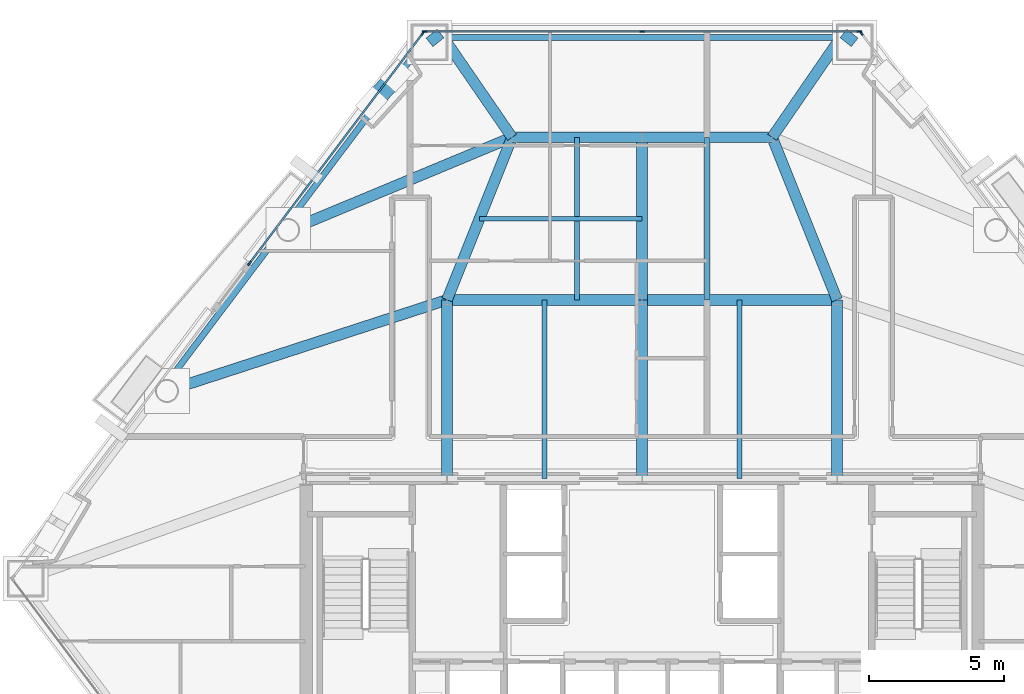
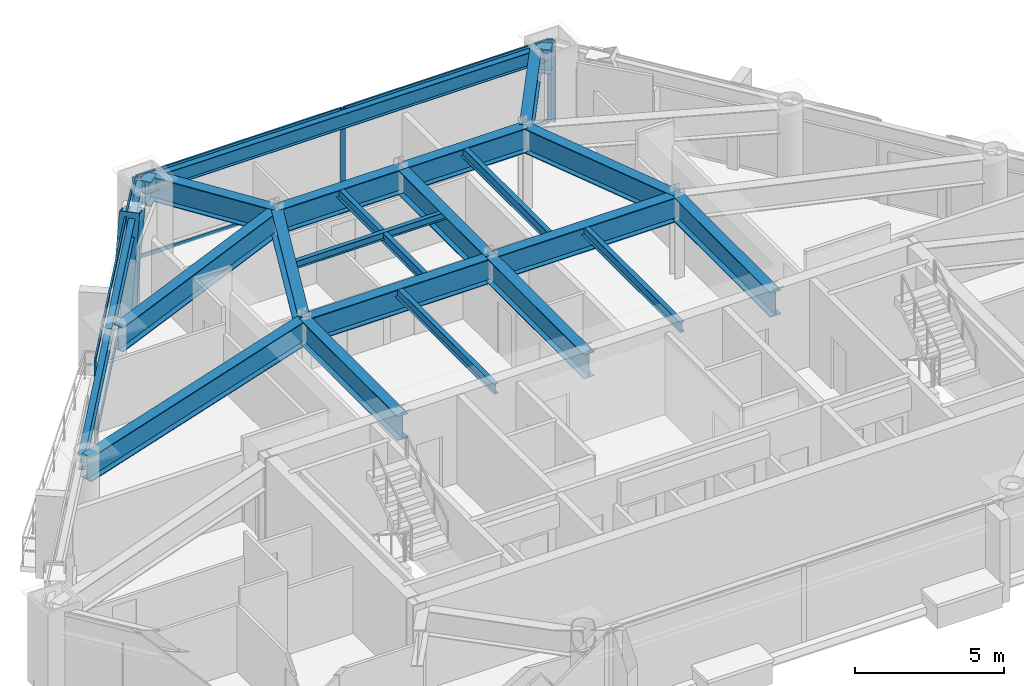
# One storey, part 3 of 10: 24 beams, 13 members, 3 elements without a shape of their own.
"""IFC4 building model written with IfcOpenShell, lengths in metres."""

import ifcopenshell
import ifcopenshell.guid

model = None  # the IFC model being written
_history = None  # IfcOwnerHistory: only IFC2X3 demands one
_inside = {}  # id of a spatial element -> (the spatial element, [elements in it])
_under = {}  # id of a project, library or spatial element -> (it, [spatial elements below it])
_declared = {}  # id of a project -> (the project, [libraries it declares])
_typed = {}  # id of a type object -> (the type object, [elements of that type])
_made_of = {}  # id of a material, layer set ... -> (it, [elements and type objects made of it])


def new_model(schema):
    """Start an empty IFC model of exactly this schema.

    Asked for "IFC4X3", IfcOpenShell would pick the latest addendum, in which some entities
    have other attributes; the version numbers below select the first issue.
    IFC2X3 requires an IfcOwnerHistory on every rooted entity: one is made here for all.
    """
    global model, _history
    if schema == "IFC4X3":
        model = ifcopenshell.file(schema_version=(4, 3, 0, 0))
    else:
        model = ifcopenshell.file(schema=schema)
    _inside.clear()
    _under.clear()
    _declared.clear()
    _typed.clear()
    _made_of.clear()
    _history = None
    if model.schema == "IFC2X3":
        org = make("IfcOrganization", Name="unknown")
        user = make(
            "IfcPersonAndOrganization",
            ThePerson=make("IfcPerson", FamilyName="unknown"),
            TheOrganization=org,
        )
        app = make(
            "IfcApplication",
            ApplicationDeveloper=org,
            Version="unknown",
            ApplicationFullName="unknown",
            ApplicationIdentifier="unknown",
        )
        _history = make(
            "IfcOwnerHistory",
            OwningUser=user,
            OwningApplication=app,
            ChangeAction="ADDED",
            CreationDate=0,
        )
    return model


def make(cls, **values):
    """One entity of the class cls with the attributes given. An attribute that is None is left unset."""
    return model.create_entity(
        cls, **{name: value for name, value in values.items() if value is not None}
    )


def rooted(cls, **values):
    """An entity with a GlobalId (a new one), such as an element, a storey or a relation."""
    return make(cls, GlobalId=ifcopenshell.guid.new(), OwnerHistory=_history, **values)


def si_unit(unit_type, name, prefix=None):
    """IfcSIUnit, for example si_unit("LENGTHUNIT", "METRE", prefix="MILLI")."""
    return make("IfcSIUnit", UnitType=unit_type, Prefix=prefix, Name=name)


def assignment(units):
    """IfcUnitAssignment: the units of a project."""
    return None if units is None else make("IfcUnitAssignment", Units=units)


def point(xyz):
    """IfcCartesianPoint."""
    return None if xyz is None else make("IfcCartesianPoint", Coordinates=xyz)


def direction(xyz):
    """IfcDirection."""
    return None if xyz is None else make("IfcDirection", DirectionRatios=xyz)


def frame(location, z_axis=None, x_axis=None):
    """IfcAxis2Placement3D, a coordinate frame: its origin and axes. An axis left out is left unset."""
    return make(
        "IfcAxis2Placement3D",
        Location=point(location),
        Axis=direction(z_axis),
        RefDirection=direction(x_axis),
    )


def frame_2d(location, x_axis=None):
    """IfcAxis2Placement2D, a coordinate frame in the plane: its origin and x axis."""
    return make(
        "IfcAxis2Placement2D", Location=point(location), RefDirection=direction(x_axis)
    )


def origin():
    """The frame at (0, 0, 0) with its axes left unset."""
    return frame((0.0, 0.0, 0.0))


def origin_2d():
    """The frame at (0, 0) in the plane with its x axis left unset."""
    return frame_2d((0.0, 0.0))


def place(relative_to, where):
    """IfcLocalPlacement: puts the frame where relative to a parent placement (None: the world)."""
    return make(
        "IfcLocalPlacement", PlacementRelTo=relative_to, RelativePlacement=where
    )


def context(
    kind, dimensions, precision=None, world=None, true_north=None, identifier=None
):
    """IfcGeometricRepresentationContext, for example the 3D "Model" context."""
    return make(
        "IfcGeometricRepresentationContext",
        ContextIdentifier=identifier,
        ContextType=kind,
        CoordinateSpaceDimension=dimensions,
        Precision=precision,
        WorldCoordinateSystem=world,
        TrueNorth=true_north,
    )


def subcontext(parent, identifier, kind, view, scale=None):
    """IfcGeometricRepresentationSubContext, for example "Body" below "Model"."""
    return make(
        "IfcGeometricRepresentationSubContext",
        ContextIdentifier=identifier,
        ContextType=kind,
        ParentContext=parent,
        TargetScale=scale,
        TargetView=view,
    )


def project(units=None, contexts=None):
    """IfcProject with its units and contexts."""
    return rooted(
        "IfcProject",
        Name="project",
        RepresentationContexts=contexts,
        UnitsInContext=assignment(units),
    )


def spatial(cls, under=None, at=None, **own):
    """A site, building, storey or space (cls), placed at a placement, below another one or the project."""
    s = rooted(cls, ObjectPlacement=at, **own)
    if under is not None:
        _under.setdefault(under.id(), (under, []))[1].append(s)
    return s


def profile(cls, at=None, kind="AREA", **sizes):
    """A parametric profile (cls). Its sizes go by their IFC names, for example OverallWidth=200.0."""
    return make(cls, ProfileType=kind, Position=at, **sizes)


def rectangle(**sizes):
    """IfcRectangleProfileDef."""
    return profile("IfcRectangleProfileDef", **sizes)


def hollow_rectangle(**sizes):
    """IfcRectangleHollowProfileDef."""
    return profile("IfcRectangleHollowProfileDef", **sizes)


def i_section(**sizes):
    """IfcIShapeProfileDef."""
    return profile("IfcIShapeProfileDef", **sizes)


def extrude(swept, where, along, depth):
    """IfcExtrudedAreaSolid: the profile swept, set in the frame where, extruded along a direction by depth."""
    return make(
        "IfcExtrudedAreaSolid",
        SweptArea=swept,
        Position=where,
        ExtrudedDirection=direction(along),
        Depth=depth,
    )


def shape(context_of_items, identifier, shape_type, items):
    """IfcShapeRepresentation: the items that make up one representation, for example the "Body"."""
    return make(
        "IfcShapeRepresentation",
        ContextOfItems=context_of_items,
        RepresentationIdentifier=identifier,
        RepresentationType=shape_type,
        Items=items,
    )


def material(Name=None, Category=None):
    """IfcMaterial."""
    return make("IfcMaterial", Name=Name, Category=Category)


def layer(
    of_material, thickness, ventilated=None, Name=None, Category=None, Priority=None
):
    """IfcMaterialLayer: one layer of a wall or slab, of a material (None: an air gap)."""
    return make(
        "IfcMaterialLayer",
        Material=of_material,
        LayerThickness=thickness,
        IsVentilated=ventilated,
        Name=Name,
        Category=Category,
        Priority=Priority,
    )


def layer_set(layers, Name=None):
    """IfcMaterialLayerSet."""
    return make("IfcMaterialLayerSet", MaterialLayers=layers, LayerSetName=Name)


def material_profile(
    of_material, cross_section, Name=None, Category=None, Priority=None
):
    """IfcMaterialProfile: a cross section and its material."""
    return make(
        "IfcMaterialProfile",
        Name=Name,
        Material=of_material,
        Profile=cross_section,
        Priority=Priority,
        Category=Category,
    )


def profile_set(profiles, Name=None, composite=None):
    """IfcMaterialProfileSet."""
    return make(
        "IfcMaterialProfileSet",
        Name=Name,
        MaterialProfiles=profiles,
        CompositeProfile=composite,
    )


def made_of(thing, what):
    """Note that an element or type object is made of a material, layer set ...; save() writes the relation."""
    if what is not None:
        _made_of.setdefault(what.id(), (what, []))[1].append(thing)
    return thing


def type_object(cls, material=None, **own):
    """A type object (cls), such as IfcWallType, which elements share."""
    return made_of(rooted(cls, **own), material)


def element(
    cls,
    number,
    at=None,
    inside=None,
    cuts=None,
    type_object=None,
    material=None,
    context=None,
    identifier="Body",
    shape_type=None,
    held_by="IfcProductDefinitionShape",
    body=None,
    shapes=None,
    **own,
):
    """One element of the class cls, such as IfcWall. Its Tag is "e" and its number.

    at: its placement. inside: the storey or other place that contains it. cuts: it is an
    opening in that element (IfcRelVoidsElement). A single representation is given by context,
    identifier, shape_type and body (its items); several are given by shapes. held_by: the class
    of the entity that holds the representations. save() writes the other relations.
    """
    e = rooted(cls, Tag="e%d" % number, ObjectPlacement=at, **own)
    if body is not None:
        shapes = [shape(context, identifier, shape_type, body)]
    if shapes is not None:
        e.Representation = make(held_by, Representations=shapes)
    if inside is not None:
        _inside.setdefault(inside.id(), (inside, []))[1].append(e)
    if cuts is not None:
        rooted(
            "IfcRelVoidsElement", RelatingBuildingElement=cuts, RelatedOpeningElement=e
        )
    if type_object is not None:
        _typed.setdefault(type_object.id(), (type_object, []))[1].append(e)
    return made_of(e, material)


def aggregate(whole, parts):
    """IfcRelAggregates: a whole, such as a stair, and the parts it consists of."""
    return rooted("IfcRelAggregates", RelatingObject=whole, RelatedObjects=parts)


def save(model, path):
    """Write the relations noted so far, then the file.

    IfcRelAggregates (storeys below a building ...), IfcRelContainedInSpatialStructure (elements
    in a storey), IfcRelDefinesByType, IfcRelAssociatesMaterial and IfcRelDeclares: one each for
    every whole, place, type object, material and project.
    """
    for whole, parts in _under.values():
        aggregate(whole, parts)
    for where, things in _inside.values():
        rooted(
            "IfcRelContainedInSpatialStructure",
            RelatedElements=things,
            RelatingStructure=where,
        )
    for kind, things in _typed.values():
        rooted("IfcRelDefinesByType", RelatedObjects=things, RelatingType=kind)
    for what, things in _made_of.values():
        rooted("IfcRelAssociatesMaterial", RelatedObjects=things, RelatingMaterial=what)
    for by, libraries in _declared.values():
        rooted("IfcRelDeclares", RelatingContext=by, RelatedDefinitions=libraries)
    model.write(path)


model = new_model("IFC4")

# Units and contexts
model_context = context("Model", 3, precision=1e-05, world=origin(), true_north=direction((0.0, 1.0)))
body_context = subcontext(model_context, "Body", "Model", "MODEL_VIEW")
ifc_project = project(units=[si_unit("LENGTHUNIT", "METRE"), si_unit("AREAUNIT", "SQUARE_METRE"), si_unit("VOLUMEUNIT", "CUBIC_METRE"), si_unit("PLANEANGLEUNIT", "RADIAN"), si_unit("MASSUNIT", "GRAM", prefix="KILO")], contexts=[model_context])

# Site, building, storey
site_placement = place(None, origin())
site = spatial("IfcSite", under=ifc_project, at=site_placement, CompositionType="ELEMENT")
building_placement = place(site_placement, origin())
building = spatial("IfcBuilding", under=site, at=building_placement, Name="Talgorran Terracotta Tower", CompositionType="ELEMENT")
storey_placement = place(building_placement, frame((0.0, 0.0, 49.5)))
storey = spatial("IfcBuildingStorey", under=building, at=storey_placement, Name="L12", CompositionType="ELEMENT", Elevation=49.5)

# Beams
ifc_material_1 = material(Name="Steel Grade 350 (350L0)", Category="steel")
ifc_material_profile_1 = material_profile(ifc_material_1, i_section(OverallWidth=0.39990234375, OverallDepth=1.0, WebThickness=0.01611328125, FlangeThickness=0.031005859375, at=origin_2d()), Name="1000WB296")
ifc_profile_set_1 = profile_set([ifc_material_profile_1], Name="Steel Grade 350 (350L0)")
beam_type_1 = type_object("IfcBeamType", Name="BM_1000WB296", PredefinedType="BEAM", material=ifc_profile_set_1)
beam_1_placement = place(storey_placement, frame((7.847412109375, 11.90576171875, 2.85009765625), z_axis=(-0.780959613089, 0.624581526082, 0.0), x_axis=(-0.624581526082, -0.780959613089, 0.0)))
element("IfcBeam", 1, at=beam_1_placement, inside=storey, type_object=beam_type_1, Name="L12 Perimeter Step Girder 9A", PredefinedType="BEAM", context=body_context, shape_type="SweptSolid", body=[
    extrude(i_section(OverallWidth=0.39990234375, OverallDepth=1.0, WebThickness=0.01611328125, FlangeThickness=0.031005859375, at=origin_2d()), origin(), (0.0, 0.0, 1.0), 0.524658203125),
])
beam_2_placement = place(storey_placement, frame((7.437744140625, 12.2333984375, 2.85009765625), z_axis=(-0.56684497014, -0.823824483629, 0.0), x_axis=(0.823824483629, -0.56684497014, 0.0)))
element("IfcBeam", 2, at=beam_2_placement, inside=storey, type_object=beam_type_1, Name="L12 Perimeter Step Girder 9B", PredefinedType="BEAM", context=body_context, shape_type="SweptSolid", body=[
    extrude(i_section(OverallWidth=0.39990234375, OverallDepth=1.0, WebThickness=0.01611328125, FlangeThickness=0.031005859375, at=origin_2d()), origin(), (0.0, 0.0, 1.0), 4.6533203125),
])
beam_3_placement = place(storey_placement, frame((-7.847412109375, 11.90576171875, 2.85009765625), z_axis=(0.780959613089, 0.624581526082, 0.0), x_axis=(-0.624581526082, 0.780959613089, 0.0)))
element("IfcBeam", 3, at=beam_3_placement, inside=storey, type_object=beam_type_1, Name="L12 Perimeter Step Girder 10A", PredefinedType="BEAM", context=body_context, shape_type="SweptSolid", body=[
    extrude(i_section(OverallWidth=0.39990234375, OverallDepth=1.0, WebThickness=0.01611328125, FlangeThickness=0.031005859375, at=origin_2d()), origin(), (0.0, 0.0, 1.0), 0.524658203125),
])
beam_4_placement = place(storey_placement, frame((-7.437744140625, 12.2333984375, 2.85009765625), z_axis=(0.56684497014, -0.823824483629, 0.0), x_axis=(0.823824483629, 0.56684497014, 0.0)))
element("IfcBeam", 4, at=beam_4_placement, inside=storey, type_object=beam_type_1, Name="L12 Perimeter Step Girder 10B", PredefinedType="BEAM", context=body_context, shape_type="SweptSolid", body=[
    extrude(i_section(OverallWidth=0.39990234375, OverallDepth=1.0, WebThickness=0.01611328125, FlangeThickness=0.031005859375, at=origin_2d()), origin(), (0.0, 0.0, 1.0), 4.6533203125),
])
for number, where, z_axis, x_axis, name in (
    (5, (-7.199951171875, -4.199951171875, 2.85009765625), (0.0, 1.0, 0.0), (-1.0, 0.0, 0.0), "L12 Floor Girder G01"),
    (6, (0.0, -4.199951171875, 2.85009765625), (0.0, 1.0, 0.0), (-1.0, 0.0, 0.0), "L12 Floor Girder G02"),
    (7, (7.199951171875, -4.199951171875, 2.85009765625), (0.0, 1.0, 0.0), (-1.0, 0.0, 0.0), "L12 Floor Girder G03"),
):
    element("IfcBeam", number, at=place(storey_placement, frame(where, z_axis=z_axis, x_axis=x_axis)), inside=storey, type_object=beam_type_1, Name=name, PredefinedType="BEAM", context=body_context, shape_type="SweptSolid", body=[
        extrude(i_section(OverallWidth=0.39990234375, OverallDepth=1.0, WebThickness=0.01611328125, FlangeThickness=0.031005859375, at=origin_2d()), origin(), (0.0, 0.0, 1.0), 6.599853515625),
    ])
for number, where, z_axis, x_axis, name in (
    (8, (-7.199951171875, 2.39990234375, 2.85009765625), (1.0, 0.0, 0.0), (0.0, 1.0, 0.0), "L12 Floor Girder G04"),
    (9, (0.0, 2.39990234375, 2.85009765625), (1.0, 0.0, 0.0), (0.0, 1.0, 0.0), "L12 Floor Girder G05"),
):
    element("IfcBeam", number, at=place(storey_placement, frame(where, z_axis=z_axis, x_axis=x_axis)), inside=storey, type_object=beam_type_1, Name=name, PredefinedType="BEAM", context=body_context, shape_type="SweptSolid", body=[
        extrude(i_section(OverallWidth=0.39990234375, OverallDepth=1.0, WebThickness=0.01611328125, FlangeThickness=0.031005859375, at=origin_2d()), origin(), (0.0, 0.0, 1.0), 7.199951171875),
    ])
beam_5_placement = place(storey_placement, frame((-7.199951171875, 2.39990234375, 2.85009765625), z_axis=(-0.950964080861, -0.309301336746, 0.0), x_axis=(0.309301336746, -0.950964080861, 0.0)))
element("IfcBeam", 10, at=beam_5_placement, inside=storey, type_object=beam_type_1, Name="L12 Floor Girder G06", PredefinedType="BEAM", context=body_context, shape_type="SweptSolid", body=[
    extrude(i_section(OverallWidth=0.39990234375, OverallDepth=1.0, WebThickness=0.01611328125, FlangeThickness=0.031005859375, at=origin_2d()), origin(), (0.0, 0.0, 1.0), 10.873046875),
])
beam_6_placement = place(storey_placement, frame((-7.199951171875, 2.39990234375, 2.85009765625), z_axis=(0.371377648723, 0.928481901832, 0.0), x_axis=(-0.928481901832, 0.371377648723, 0.0)))
element("IfcBeam", 11, at=beam_6_placement, inside=storey, type_object=beam_type_1, Name="L12 Floor Girder G08", PredefinedType="BEAM", context=body_context, shape_type="SweptSolid", body=[
    extrude(i_section(OverallWidth=0.39990234375, OverallDepth=1.0, WebThickness=0.01611328125, FlangeThickness=0.031005859375, at=origin_2d()), origin(), (0.0, 0.0, 1.0), 6.462158203125),
])
beam_7_placement = place(storey_placement, frame((0.0, 2.39990234375, 2.85009765625), z_axis=(0.0, 1.0, 0.0), x_axis=(-1.0, 0.0, 0.0)))
element("IfcBeam", 12, at=beam_7_placement, inside=storey, type_object=beam_type_1, Name="L12 Floor Girder G09", PredefinedType="BEAM", context=body_context, shape_type="SweptSolid", body=[
    extrude(i_section(OverallWidth=0.39990234375, OverallDepth=1.0, WebThickness=0.01611328125, FlangeThickness=0.031005859375, at=origin_2d()), origin(), (0.0, 0.0, 1.0), 6.0),
])
beam_8_placement = place(storey_placement, frame((7.199951171875, 2.39990234375, 2.85009765625), z_axis=(-0.371377648723, 0.928481901832, 0.0), x_axis=(-0.928481901832, -0.371377648723, 0.0)))
element("IfcBeam", 13, at=beam_8_placement, inside=storey, type_object=beam_type_1, Name="L12 Floor Girder G10", PredefinedType="BEAM", context=body_context, shape_type="SweptSolid", body=[
    extrude(i_section(OverallWidth=0.39990234375, OverallDepth=1.0, WebThickness=0.01611328125, FlangeThickness=0.031005859375, at=origin_2d()), origin(), (0.0, 0.0, 1.0), 6.462158203125),
])
for number, where, z_axis, x_axis, name in (
    (14, (-4.800048828125, 8.39990234375, 2.85009765625), (1.0, 0.0, 0.0), (0.0, 1.0, 0.0), "L12 Floor Girder G11"),
    (15, (0.0, 8.39990234375, 2.85009765625), (1.0, 0.0, 0.0), (0.0, 1.0, 0.0), "L12 Floor Girder G12"),
):
    element("IfcBeam", number, at=place(storey_placement, frame(where, z_axis=z_axis, x_axis=x_axis)), inside=storey, type_object=beam_type_1, Name=name, PredefinedType="BEAM", context=body_context, shape_type="SweptSolid", body=[
        extrude(i_section(OverallWidth=0.39990234375, OverallDepth=1.0, WebThickness=0.01611328125, FlangeThickness=0.031005859375, at=origin_2d()), origin(), (0.0, 0.0, 1.0), 4.800048828125),
    ])
beam_9_placement = place(storey_placement, frame((-4.800048828125, 8.39990234375, 2.85009765625), z_axis=(-0.923207843364, -0.384301025177, 0.0), x_axis=(0.384301025177, -0.923207843364, 0.0)))
element("IfcBeam", 16, at=beam_9_placement, inside=storey, type_object=beam_type_1, Name="L12 Floor Girder G13", PredefinedType="BEAM", context=body_context, shape_type="SweptSolid", body=[
    extrude(i_section(OverallWidth=0.39990234375, OverallDepth=1.0, WebThickness=0.01611328125, FlangeThickness=0.031005859375, at=origin_2d()), origin(), (0.0, 0.0, 1.0), 8.713623046875),
])
ifc_material_2 = material(Name="Steel S355 (300PLUS)", Category="steel")
ifc_material_profile_2 = material_profile(ifc_material_2, i_section(OverallWidth=0.177734375, OverallDepth=0.406494140625, WebThickness=0.0078125, FlangeThickness=0.0126953125, at=origin_2d()), Name="410UB59.7")
ifc_profile_set_2 = profile_set([ifc_material_profile_2], Name="Steel S355 (300PLUS)")
beam_type_2 = type_object("IfcBeamType", Name="BM_JS_410UB60", PredefinedType="JOIST", material=ifc_profile_set_2)
for number, where, z_axis, x_axis, name in (
    (17, (-3.60009765625, -4.199951171875, 3.146728515625), (0.0, 1.0, 0.0), (-1.0, 0.0, 0.0), "L12 Secondary Joist J01"),
    (18, (3.60009765625, -4.199951171875, 3.146728515625), (0.0, 1.0, 0.0), (-1.0, 0.0, 0.0), "L12 Secondary Joist J02"),
):
    element("IfcBeam", number, at=place(storey_placement, frame(where, z_axis=z_axis, x_axis=x_axis)), inside=storey, type_object=beam_type_2, Name=name, PredefinedType="JOIST", context=body_context, shape_type="SweptSolid", body=[
        extrude(i_section(OverallWidth=0.177734375, OverallDepth=0.406494140625, WebThickness=0.0078125, FlangeThickness=0.0126953125, at=origin_2d()), origin(), (0.0, 0.0, 1.0), 6.599853515625),
    ])
for number, where, z_axis, x_axis, name in (
    (19, (-2.39990234375, 2.39990234375, 3.146728515625), (0.0, 1.0, 0.0), (-1.0, 0.0, 0.0), "L12 Secondary Joist J03"),
    (20, (2.39990234375, 2.39990234375, 3.146728515625), (0.0, 1.0, 0.0), (-1.0, 0.0, 0.0), "L12 Secondary Joist J04"),
):
    element("IfcBeam", number, at=place(storey_placement, frame(where, z_axis=z_axis, x_axis=x_axis)), inside=storey, type_object=beam_type_2, Name=name, PredefinedType="JOIST", context=body_context, shape_type="SweptSolid", body=[
        extrude(i_section(OverallWidth=0.177734375, OverallDepth=0.406494140625, WebThickness=0.0078125, FlangeThickness=0.0126953125, at=origin_2d()), origin(), (0.0, 0.0, 1.0), 6.0),
    ])
ifc_material_profile_3 = material_profile(ifc_material_2, i_section(OverallWidth=0.1650390625, OverallDepth=0.303955078125, WebThickness=0.006103515625, FlangeThickness=0.01025390625, at=origin_2d()), Name="310UB40.4")
ifc_profile_set_3 = profile_set([ifc_material_profile_3], Name="Steel S355 (300PLUS)")
beam_type_3 = type_object("IfcBeamType", Name="BM_OL_310UB40", PredefinedType="BEAM", material=ifc_profile_set_3)
beam_10_placement = place(storey_placement, frame((-6.0, 5.39990234375, 3.197998046875), z_axis=(1.0, 0.0, 0.0), x_axis=(0.0, 1.0, 0.0)))
element("IfcBeam", 21, at=beam_10_placement, inside=storey, type_object=beam_type_3, Name="L12 Balcony Back-Span Tie Beam OL1", PredefinedType="BEAM", context=body_context, shape_type="SweptSolid", body=[
    extrude(i_section(OverallWidth=0.1650390625, OverallDepth=0.303955078125, WebThickness=0.006103515625, FlangeThickness=0.01025390625, at=origin_2d()), origin(), (0.0, 0.0, 1.0), 6.0),
])
ifc_material_profile_4 = material_profile(ifc_material_2, i_section(OverallWidth=0.22900390625, OverallDepth=0.611572265625, WebThickness=0.011962890625, FlangeThickness=0.01953125, at=origin_2d()), Name="610UB125")
ifc_profile_set_4 = profile_set([ifc_material_profile_4], Name="Steel S355 (300PLUS)")
beam_type_4 = type_object("IfcBeamType", Name="BM_SP_610UB125", PredefinedType="SPANDREL", material=ifc_profile_set_4)
beam_11_placement = place(storey_placement, frame((7.847412109375, 12.085693359375, 3.044189453125), z_axis=(-1.0, 0.0, 0.0), x_axis=(0.0, -1.0, 0.0)))
element("IfcBeam", 22, at=beam_11_placement, inside=storey, type_object=beam_type_4, Name="L12 Perimeter Spandrel Beam MC5-MC6", PredefinedType="SPANDREL", context=body_context, shape_type="SweptSolid", body=[
    extrude(i_section(OverallWidth=0.22900390625, OverallDepth=0.611572265625, WebThickness=0.011962890625, FlangeThickness=0.01953125, at=origin_2d()), origin(), (0.0, 0.0, 1.0), 15.69482421875),
])
beam_12_placement = place(storey_placement, frame((-7.9912109375, 12.013916015625, 3.044189453125), z_axis=(-0.601628840165, -0.798775774972, 0.0), x_axis=(0.798775774972, -0.601628840165, 0.0)))
element("IfcBeam", 23, at=beam_12_placement, inside=storey, type_object=beam_type_4, Name="L12 Perimeter Spandrel Beam MC6-FC5", PredefinedType="SPANDREL", context=body_context, shape_type="SweptSolid", body=[
    extrude(i_section(OverallWidth=0.22900390625, OverallDepth=0.611572265625, WebThickness=0.011962890625, FlangeThickness=0.01953125, at=origin_2d()), origin(), (0.0, 0.0, 1.0), 8.6748046875),
])
beam_13_placement = place(storey_placement, frame((-13.210205078125, 5.084716796875, 3.044189453125), z_axis=(-0.601616830796, -0.79878482015, 0.0), x_axis=(0.79878482015, -0.601616830796, 0.0)))
element("IfcBeam", 24, at=beam_13_placement, inside=storey, type_object=beam_type_4, Name="L12 Perimeter Spandrel Beam FC5-FC6", PredefinedType="SPANDREL", context=body_context, shape_type="SweptSolid", body=[
    extrude(i_section(OverallWidth=0.22900390625, OverallDepth=0.611572265625, WebThickness=0.011962890625, FlangeThickness=0.01953125, at=origin_2d()), origin(), (0.0, 0.0, 1.0), 7.435546875),
])

# Member
ifc_material_profile_5 = material_profile(ifc_material_1, hollow_rectangle(XDim=0.699951171875, YDim=0.89990234375, WallThickness=0.050048828125, at=origin_2d()), Name="WBOX900X700X50")
ifc_profile_set_5 = profile_set([ifc_material_profile_5], Name="Steel Grade 350 (350L0)")
member_type_1 = type_object("IfcMemberType", Name="MB_MEGA_900", PredefinedType="BRACE", material=ifc_profile_set_5)
member_1_placement = place(storey_placement, frame((-9.985595703125, 9.665283203125, -0.02490234375), z_axis=(0.251679876693, 0.274868808938, 0.927957098976), x_axis=(-0.737532531815, 0.675311605494, 0.0)))
element("IfcMember", 25, at=member_1_placement, inside=storey, type_object=member_type_1, Name="L12 Exterior Face Mega-Brace MB-1 (NWU)", PredefinedType="BRACE", context=body_context, shape_type="SweptSolid", body=[
    extrude(hollow_rectangle(XDim=0.699951171875, YDim=0.89990234375, WallThickness=0.050048828125, at=origin_2d()), origin(), (0.0, 0.0, 1.0), 3.663818359375),
])

# Curtain wall, member
ifc_material_3 = material(Name="Unitised Low-E Double Glazing", Category="glass")
ifc_layer = layer(ifc_material_3, 0.199951171875, Name="CW_SYS2_RES_LOW")
ifc_layer_set = layer_set([ifc_layer], Name="Unitised Low-E Double Glazing")
curtain_wall_type = type_object("IfcCurtainWallType", Name="CW_SYS2_RES_LOW", PredefinedType="NOTDEFINED", material=ifc_layer_set)
curtain_wall_1_placement = place(storey_placement, origin())
curtain_wall_1 = element("IfcCurtainWall", 26, at=curtain_wall_1_placement, inside=storey, type_object=curtain_wall_type, Name="CW-L12-F41", PredefinedType="NOTDEFINED")
ifc_material_4 = material(Name="Architectural Aluminium 6063-T6", Category="aluminium")
ifc_material_profile_6 = material_profile(ifc_material_4, rectangle(XDim=0.06494140625, YDim=0.18505859375, at=origin_2d()), Name="CWM65X185")
ifc_profile_set_6 = profile_set([ifc_material_profile_6], Name="Architectural Aluminium 6063-T6")
member_type_2 = type_object("IfcMemberType", Name="MUL_65X185", PredefinedType="MULLION", material=ifc_profile_set_6)
member_2_placement = place(storey_placement, frame((8.090576171875, 12.247802734375, 0.0), z_axis=(0.0, 0.0, 1.0), x_axis=(-0.798776859059, -0.601627400832, 0.0)))
member_2 = element("IfcMember", 27, at=member_2_placement, type_object=member_type_2, Name="CW-L12-41 mullion 2", PredefinedType="MULLION", context=body_context, shape_type="SweptSolid", body=[
    extrude(rectangle(XDim=0.06494140625, YDim=0.18505859375, at=origin_2d()), origin(), (0.0, 0.0, 1.0), 3.35009765625),
])
aggregate(curtain_wall_1, [member_2])

# Curtain wall, members
curtain_wall_2_placement = place(storey_placement, origin())
curtain_wall_2 = element("IfcCurtainWall", 28, at=curtain_wall_2_placement, inside=storey, type_object=curtain_wall_type, Name="CW-L12-F4", PredefinedType="NOTDEFINED")
member_3_placement = place(storey_placement, frame((8.014404296875, 12.3056640625, 0.0), z_axis=(0.0, 0.0, 1.0), x_axis=(0.0, -1.0, 0.0)))
member_3 = element("IfcMember", 29, at=member_3_placement, type_object=member_type_2, Name="CW-L12-4 mullion 1", PredefinedType="MULLION", context=body_context, shape_type="SweptSolid", body=[
    extrude(rectangle(XDim=0.06494140625, YDim=0.18505859375, at=origin_2d()), origin(), (0.0, 0.0, 1.0), 3.35009765625),
])
member_4_placement = place(storey_placement, frame((0.0, 12.3056640625, 0.0), z_axis=(0.0, 0.0, 1.0), x_axis=(0.0, -1.0, 0.0)))
member_4 = element("IfcMember", 30, at=member_4_placement, type_object=member_type_2, Name="CW-L12-4 mullion 2", PredefinedType="MULLION", context=body_context, shape_type="SweptSolid", body=[
    extrude(rectangle(XDim=0.06494140625, YDim=0.18505859375, at=origin_2d()), origin(), (0.0, 0.0, 1.0), 3.35009765625),
])
member_5_placement = place(storey_placement, frame((-8.014404296875, 12.3056640625, 0.0), z_axis=(0.0, 0.0, 1.0), x_axis=(0.0, -1.0, 0.0)))
member_5 = element("IfcMember", 31, at=member_5_placement, type_object=member_type_2, Name="CW-L12-4 mullion 3", PredefinedType="MULLION", context=body_context, shape_type="SweptSolid", body=[
    extrude(rectangle(XDim=0.06494140625, YDim=0.18505859375, at=origin_2d()), origin(), (0.0, 0.0, 1.0), 3.35009765625),
])

curtain_wall_3_placement = place(storey_placement, origin())
curtain_wall_3 = element("IfcCurtainWall", 32, at=curtain_wall_3_placement, inside=storey, type_object=curtain_wall_type, Name="CW-L12-F60", PredefinedType="NOTDEFINED")
member_6_placement = place(storey_placement, frame((-8.090576171875, 12.247802734375, 0.0), z_axis=(0.0, 0.0, 1.0), x_axis=(0.798776667858, -0.601627654689, 0.0)))
member_6 = element("IfcMember", 33, at=member_6_placement, type_object=member_type_2, Name="CW-L12-60 mullion 1", PredefinedType="MULLION", context=body_context, shape_type="SweptSolid", body=[
    extrude(rectangle(XDim=0.06494140625, YDim=0.18505859375, at=origin_2d()), origin(), (0.0, 0.0, 1.0), 3.35009765625),
])
member_7_placement = place(storey_placement, frame((-14.492919921875, 3.74755859375, 0.0), z_axis=(0.0, 0.0, 1.0), x_axis=(0.798776667858, -0.601627654689, 0.0)))
member_7 = element("IfcMember", 34, at=member_7_placement, type_object=member_type_2, Name="CW-L12-60 mullion 2", PredefinedType="MULLION", context=body_context, shape_type="SweptSolid", body=[
    extrude(rectangle(XDim=0.06494140625, YDim=0.18505859375, at=origin_2d()), origin(), (0.0, 0.0, 1.0), 3.35009765625),
])

# Member
ifc_material_profile_7 = material_profile(ifc_material_4, rectangle(XDim=0.06494140625, YDim=0.14990234375, at=origin_2d()), Name="CWT65X150")
ifc_profile_set_7 = profile_set([ifc_material_profile_7], Name="Architectural Aluminium 6063-T6")
member_type_3 = type_object("IfcMemberType", Name="TRN_65X150", PredefinedType="USERDEFINED", material=ifc_profile_set_7)
member_8_placement = place(storey_placement, frame((7.98193359375, 12.3056640625, 0.032470703125), z_axis=(-1.0, 0.0, 0.0), x_axis=(0.0, -1.0, 0.0)))
member_8 = element("IfcMember", 35, at=member_8_placement, type_object=member_type_3, Name="CW-L12-4 transom 1.1", ObjectType="TRANSOM", PredefinedType="USERDEFINED", context=body_context, shape_type="SweptSolid", body=[
    extrude(rectangle(XDim=0.06494140625, YDim=0.14990234375, at=origin_2d()), origin(), (0.0, 0.0, 1.0), 7.949462890625),
])

member_9_placement = place(storey_placement, frame((7.98193359375, 12.3056640625, 3.3173828125), z_axis=(-1.0, 0.0, 0.0), x_axis=(0.0, -1.0, 0.0)))
member_9 = element("IfcMember", 36, at=member_9_placement, type_object=member_type_3, Name="CW-L12-4 transom 1.2", ObjectType="TRANSOM", PredefinedType="USERDEFINED", context=body_context, shape_type="SweptSolid", body=[
    extrude(rectangle(XDim=0.06494140625, YDim=0.14990234375, at=origin_2d()), origin(), (0.0, 0.0, 1.0), 7.949462890625),
])

member_10_placement = place(storey_placement, frame((-0.032470703125, 12.3056640625, 0.032470703125), z_axis=(-1.0, 0.0, 0.0), x_axis=(0.0, -1.0, 0.0)))
member_10 = element("IfcMember", 37, at=member_10_placement, type_object=member_type_3, Name="CW-L12-4 transom 2.1", ObjectType="TRANSOM", PredefinedType="USERDEFINED", context=body_context, shape_type="SweptSolid", body=[
    extrude(rectangle(XDim=0.06494140625, YDim=0.14990234375, at=origin_2d()), origin(), (0.0, 0.0, 1.0), 7.949462890625),
])

member_11_placement = place(storey_placement, frame((-0.032470703125, 12.3056640625, 3.3173828125), z_axis=(-1.0, 0.0, 0.0), x_axis=(0.0, -1.0, 0.0)))
member_11 = element("IfcMember", 38, at=member_11_placement, type_object=member_type_3, Name="CW-L12-4 transom 2.2", ObjectType="TRANSOM", PredefinedType="USERDEFINED", context=body_context, shape_type="SweptSolid", body=[
    extrude(rectangle(XDim=0.06494140625, YDim=0.14990234375, at=origin_2d()), origin(), (0.0, 0.0, 1.0), 7.949462890625),
])

aggregate(curtain_wall_2, [member_3, member_4, member_5, member_8, member_9, member_10, member_11])

member_12_placement = place(storey_placement, frame((-8.110107421875, 12.2216796875, 0.032470703125), z_axis=(-0.601638564703, -0.798768450467, 0.0), x_axis=(0.798768450467, -0.601638564703, 0.0)))
member_12 = element("IfcMember", 39, at=member_12_placement, type_object=member_type_3, Name="CW-L12-60 transom 1.1", ObjectType="TRANSOM", PredefinedType="USERDEFINED", context=body_context, shape_type="SweptSolid", body=[
    extrude(rectangle(XDim=0.06494140625, YDim=0.14990234375, at=origin_2d()), origin(), (0.0, 0.0, 1.0), 10.57666015625),
])

member_13_placement = place(storey_placement, frame((-8.110107421875, 12.2216796875, 3.3173828125), z_axis=(-0.601638564703, -0.798768450467, 0.0), x_axis=(0.798768450467, -0.601638564703, 0.0)))
member_13 = element("IfcMember", 40, at=member_13_placement, type_object=member_type_3, Name="CW-L12-60 transom 1.2", ObjectType="TRANSOM", PredefinedType="USERDEFINED", context=body_context, shape_type="SweptSolid", body=[
    extrude(rectangle(XDim=0.06494140625, YDim=0.14990234375, at=origin_2d()), origin(), (0.0, 0.0, 1.0), 10.57666015625),
])

aggregate(curtain_wall_3, [member_6, member_7, member_12, member_13])

save(model, "model.ifc")
